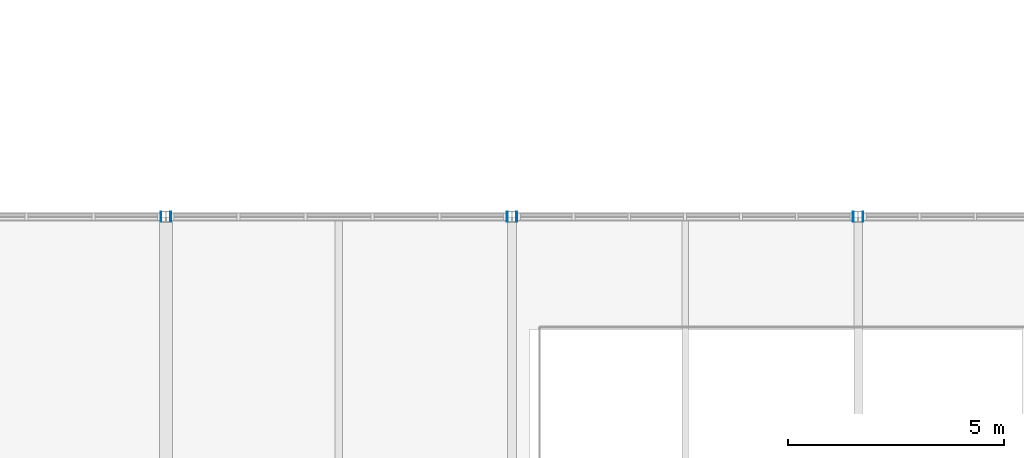
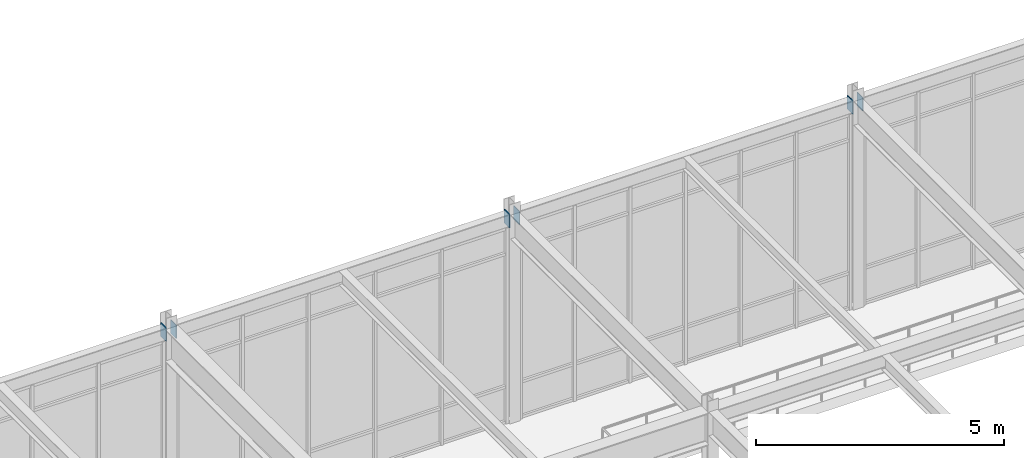
# One storey, part 121 of 184: 6 plates.
"""IFC4 building model written with IfcOpenShell, lengths in metres."""

from ifc_helpers import new_model, si_unit, direction, frame, origin, origin_2d, place, context, subcontext, project, spatial, rectangle, extrude, material, layer, layer_set, type_object, element, save


model = new_model("IFC4")

# Units and contexts
model_context = context("Model", 3, precision=1e-05, world=origin(), true_north=direction((0.0, 1.0)))
body_context = subcontext(model_context, "Body", "Model", "MODEL_VIEW")
ifc_project = project(units=[si_unit("LENGTHUNIT", "METRE"), si_unit("AREAUNIT", "SQUARE_METRE"), si_unit("VOLUMEUNIT", "CUBIC_METRE"), si_unit("PLANEANGLEUNIT", "RADIAN"), si_unit("MASSUNIT", "GRAM", prefix="KILO")], contexts=[model_context])

# Site, building, storey
site_placement = place(None, origin())
site = spatial("IfcSite", under=ifc_project, at=site_placement, CompositionType="ELEMENT")
building_placement = place(site_placement, origin())
building = spatial("IfcBuilding", under=site, at=building_placement, Name="Zhaolan Boulevard Law Courts", CompositionType="ELEMENT")
storey_placement = place(building_placement, frame((0.0, 0.0, 5.39990234375)))
storey = spatial("IfcBuildingStorey", under=building, at=storey_placement, Name="L01", CompositionType="ELEMENT", Elevation=5.39990234375)

# Plates
ifc_material = material(Name="Structural steel Q355B", Category="steel")
ifc_layer = layer(ifc_material, 0.02001953125)
ifc_layer_set = layer_set([ifc_layer])
plate_type = type_object("IfcPlateType", Name="END CAP PLATE 20", PredefinedType="SHEET", material=ifc_layer_set)
for number, where, z_axis, x_axis, name in (
    (1, (67.886962890625, 30.0, 4.822998046875), (0.0, 0.0, 1.0), (1.0, 0.0, 0.0), "Hollow Section End-Cap Plate ECP-0738"),
    (2, (68.113037109375, 30.0, 4.822998046875), (0.0, 0.0, 1.0), (1.0, 0.0, 0.0), "Hollow Section End-Cap Plate ECP-0739"),
    (3, (75.886962890625, 30.0, 4.822998046875), (0.0, 0.0, 1.0), (1.0, 0.0, 0.0), "Hollow Section End-Cap Plate ECP-0740"),
    (4, (76.113037109375, 30.0, 4.822998046875), (0.0, 0.0, 1.0), (1.0, 0.0, 0.0), "Hollow Section End-Cap Plate ECP-0741"),
    (5, (83.886962890625, 30.0, 4.822998046875), (0.0, 0.0, 1.0), (1.0, 0.0, 0.0), "Hollow Section End-Cap Plate ECP-0742"),
    (6, (84.113037109375, 30.0, 4.822998046875), (0.0, 0.0, 1.0), (1.0, 0.0, 0.0), "Hollow Section End-Cap Plate ECP-0743"),
):
    element("IfcPlate", number, at=place(storey_placement, frame(where, z_axis=z_axis, x_axis=x_axis)), inside=storey, type_object=plate_type, Name=name, PredefinedType="SHEET", context=body_context, shape_type="SweptSolid", body=[
        extrude(rectangle(XDim=0.02001953125, YDim=0.22998046875, at=origin_2d()), origin(), (0.0, 0.0, 1.0), 0.330078125),
    ])

save(model, "model.ifc")
